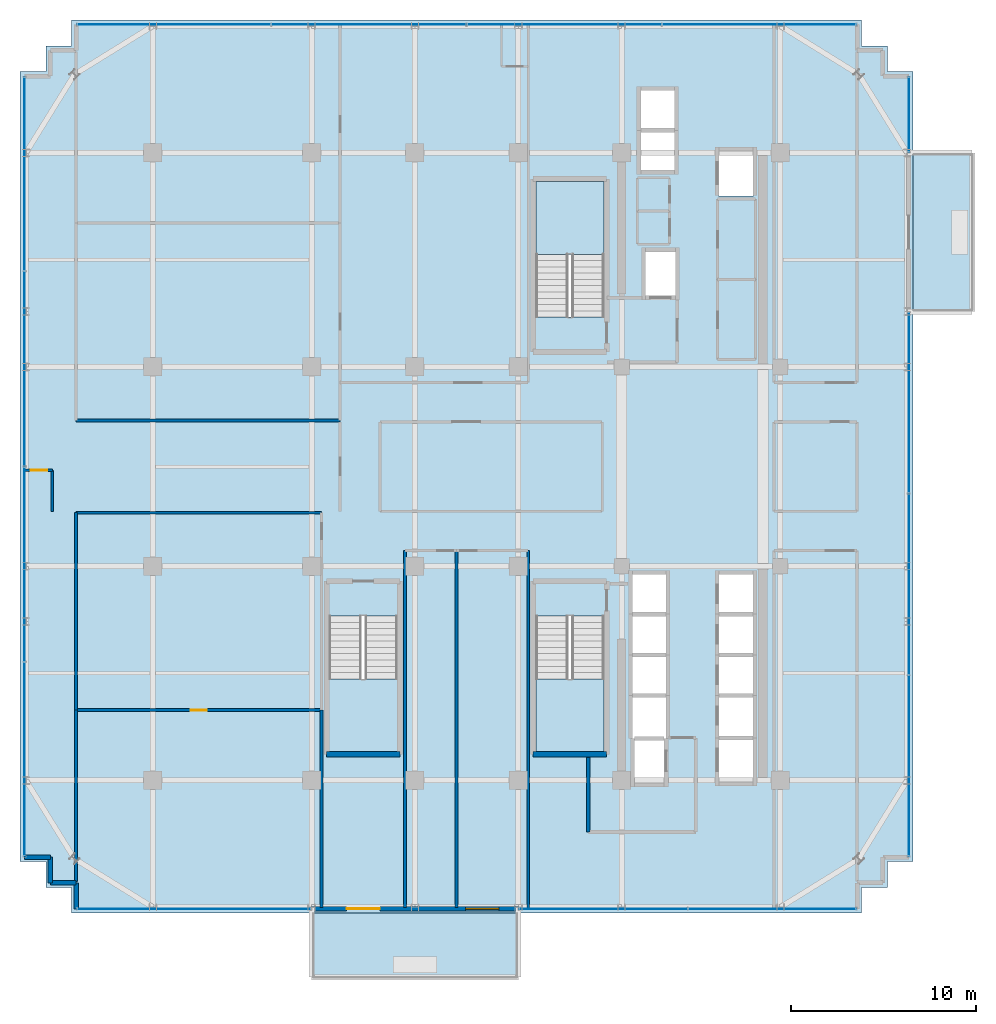
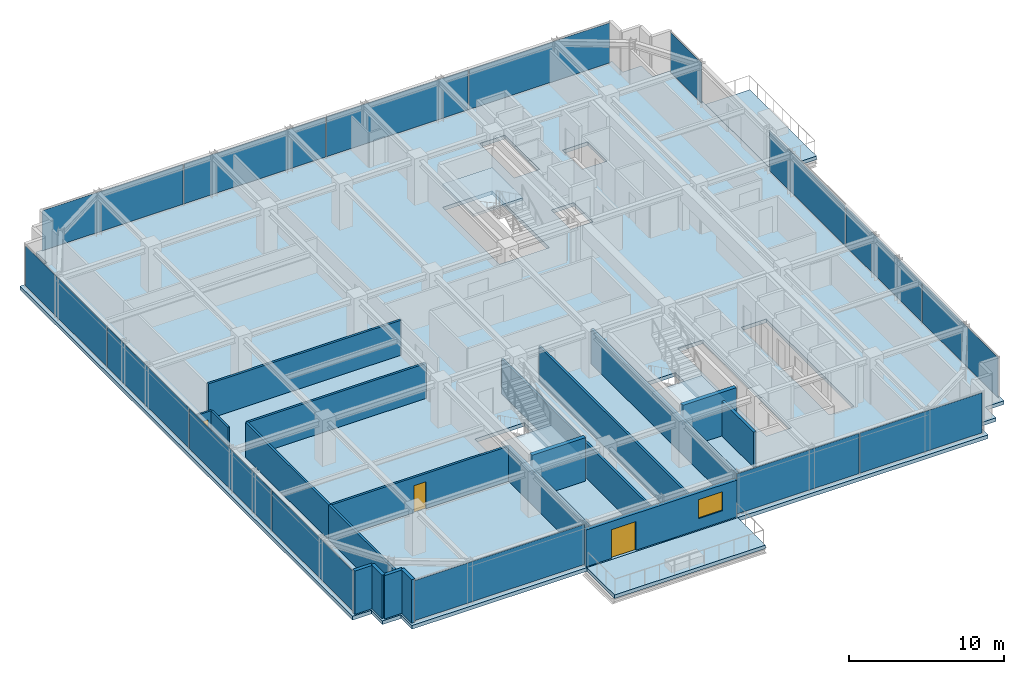
# One storey, part 29 of 36: 19 walls, 15 plates, 6 slabs, 3 doors, 1 window, 4 openings, 9 elements without a shape of their own.
"""IFC4 building model written with IfcOpenShell, lengths in metres."""

from ifc_helpers import new_model, si_unit, direction, frame, frame_2d, origin, origin_2d, place, context, subcontext, project, spatial, polyline, rectangle, outline, extrude, source, transform, mapped, material, layer, layer_set, type_object, element, fill, aggregate, save


model = new_model("IFC4")

# Units and contexts
model_context = context("Model", 3, precision=1e-05, world=origin(), true_north=direction((0.0, 1.0)))
body_context = subcontext(model_context, "Body", "Model", "MODEL_VIEW")
ifc_project = project(units=[si_unit("LENGTHUNIT", "METRE"), si_unit("AREAUNIT", "SQUARE_METRE"), si_unit("VOLUMEUNIT", "CUBIC_METRE"), si_unit("PLANEANGLEUNIT", "RADIAN"), si_unit("MASSUNIT", "GRAM", prefix="KILO")], contexts=[model_context])

# Site, building, storey
site_placement = place(None, origin())
site = spatial("IfcSite", under=ifc_project, at=site_placement, CompositionType="ELEMENT")
building_placement = place(site_placement, origin())
building = spatial("IfcBuilding", under=site, at=building_placement, Name="Nahalor Promenade Grand Hotel", CompositionType="ELEMENT")
storey_placement = place(building_placement, frame((0.0, 0.0, 253.0)))
storey = spatial("IfcBuildingStorey", under=building, at=storey_placement, Name="L65", CompositionType="ELEMENT", Elevation=253.0)

# Stair, slab
ifc_material_1 = material(Name="Concrete B-50 (C40/50)", Category="concrete")
stair_type_1 = type_object("IfcStairType", Name="Stair-ST1", PredefinedType="HALF_TURN_STAIR", material=ifc_material_1)
stair_1_placement = place(storey_placement, origin())
stair_1 = element("IfcStair", 1, at=stair_1_placement, inside=storey, type_object=stair_type_1, Name="L65 ST1", PredefinedType="HALF_TURN_STAIR")
ifc_layer_1 = layer(ifc_material_1, 0.199951171875)
ifc_layer_set_1 = layer_set([ifc_layer_1], Name="Concrete B-50 (C40/50)")
slab_type_1 = type_object("IfcSlabType", Name="Landing-ST1", PredefinedType="LANDING", material=ifc_layer_set_1)
slab_1_placement = place(storey_placement, frame((0.0, 0.0, 1.64990234375)))
slab_1 = element("IfcSlab", 2, at=slab_1_placement, type_object=slab_type_1, Name="ST1 landing 1", PredefinedType="LANDING", context=body_context, shape_type="SweptSolid", body=[
    extrude(outline(polyline([(7.449951171875, 11.5), (7.449951171875, 15.449951171875), (3.75, 15.449951171875), (3.75, 11.5), (7.449951171875, 11.5)])), origin(), (0.0, 0.0, 1.0), 0.2001953125),
])
aggregate(stair_1, [slab_1])

stair_type_2 = type_object("IfcStairType", Name="Stair-ST2", PredefinedType="HALF_TURN_STAIR", material=ifc_material_1)
stair_2_placement = place(storey_placement, origin())
stair_2 = element("IfcStair", 3, at=stair_2_placement, inside=storey, type_object=stair_type_2, Name="L65 ST2", PredefinedType="HALF_TURN_STAIR")
ifc_layer_2 = layer(ifc_material_1, 0.2099609375)
ifc_layer_set_2 = layer_set([ifc_layer_2], Name="Concrete B-50 (C40/50)")
slab_type_2 = type_object("IfcSlabType", Name="Landing-ST2", PredefinedType="LANDING", material=ifc_layer_set_2)
slab_2_placement = place(storey_placement, frame((0.0, 0.0, 1.639892578125)))
slab_2 = element("IfcSlab", 4, at=slab_2_placement, type_object=slab_type_2, Name="ST2 landing 1", PredefinedType="LANDING", context=body_context, shape_type="SweptSolid", body=[
    extrude(outline(polyline([(3.75, -11.5), (3.75, -15.449951171875), (7.449951171875, -15.449951171875), (7.449951171875, -11.5), (3.75, -11.5)])), origin(), (0.0, 0.0, 1.0), 0.210205078125),
])
aggregate(stair_2, [slab_2])

stair_type_3 = type_object("IfcStairType", Name="Stair-ST3", PredefinedType="HALF_TURN_STAIR", material=ifc_material_1)
stair_3_placement = place(storey_placement, origin())
stair_3 = element("IfcStair", 5, at=stair_3_placement, inside=storey, type_object=stair_type_3, Name="L65 ST3", PredefinedType="HALF_TURN_STAIR")
ifc_layer_3 = layer(ifc_material_1, 0.219970703125)
ifc_layer_set_3 = layer_set([ifc_layer_3], Name="Concrete B-50 (C40/50)")
slab_type_3 = type_object("IfcSlabType", Name="Landing-ST3", PredefinedType="LANDING", material=ifc_layer_set_3)
slab_3_placement = place(storey_placement, frame((0.0, 0.0, 1.6298828125)))
slab_3 = element("IfcSlab", 6, at=slab_3_placement, type_object=slab_type_3, Name="ST3 landing 1", PredefinedType="LANDING", context=body_context, shape_type="SweptSolid", body=[
    extrude(outline(polyline([(-7.449951171875, -11.5), (-7.449951171875, -15.449951171875), (-3.75, -15.449951171875), (-3.75, -11.5), (-7.449951171875, -11.5)])), origin(), (0.0, 0.0, 1.0), 0.22021484375),
])
aggregate(stair_3, [slab_3])

# Slabs
ifc_layer_4 = layer(ifc_material_1, 0.280029296875)
ifc_layer_set_4 = layer_set([ifc_layer_4], Name="Concrete B-50 (C40/50)")
slab_type_4 = type_object("IfcSlabType", Name="Slab-Balcony-280", PredefinedType="FLOOR", material=ifc_layer_set_4)
slab_4_placement = place(storey_placement, frame((0.0, 0.0, -0.280029296875)))
element("IfcSlab", 7, at=slab_4_placement, inside=storey, type_object=slab_type_4, Name="L65 Cantilevered Planted Balcony 1", PredefinedType="FLOOR", context=body_context, shape_type="SweptSolid", body=[
    extrude(outline(polyline([(-8.39990234375, -27.75), (2.800048828125, -27.75), (2.800048828125, -24.199951171875), (-8.39990234375, -24.199951171875), (-8.39990234375, -27.75)])), origin(), (0.0, 0.0, 1.0), 0.280029296875),
])
slab_5_placement = place(storey_placement, frame((0.0, 0.0, -0.280029296875)))
element("IfcSlab", 8, at=slab_5_placement, inside=storey, type_object=slab_type_4, Name="L65 Cantilevered Planted Balcony 2", PredefinedType="FLOOR", context=body_context, shape_type="SweptSolid", body=[
    extrude(outline(polyline([(24.199951171875, 8.39990234375), (27.47998046875, 8.39990234375), (27.47998046875, 17.0), (24.199951171875, 17.0), (24.199951171875, 8.39990234375)])), origin(), (0.0, 0.0, 1.0), 0.280029296875),
])
ifc_layer_5 = layer(ifc_material_1, 0.2900390625)
ifc_layer_set_5 = layer_set([ifc_layer_5], Name="Concrete B-50 (C40/50)")
slab_type_5 = type_object("IfcSlabType", Name="Slab-TowerZ4-290", PredefinedType="FLOOR", material=ifc_layer_set_5)
slab_6_placement = place(storey_placement, frame((0.0, 0.0, -0.2900390625)))
element("IfcSlab", 9, at=slab_6_placement, inside=storey, type_object=slab_type_5, Name="L65 Suspended Structural Floor Slab", PredefinedType="FLOOR", context=body_context, shape_type="SweptSolid", body=[
    extrude(outline(polyline([(-21.39990234375, -24.199951171875), (21.39990234375, -24.199951171875), (21.39990234375, -22.800048828125), (22.800048828125, -22.800048828125), (22.800048828125, -21.39990234375), (24.199951171875, -21.39990234375), (24.199951171875, 21.39990234375), (22.800048828125, 21.39990234375), (22.800048828125, 22.800048828125), (21.39990234375, 22.800048828125), (21.39990234375, 24.199951171875), (-21.39990234375, 24.199951171875), (-21.39990234375, 22.800048828125), (-22.800048828125, 22.800048828125), (-22.800048828125, 21.39990234375), (-24.199951171875, 21.39990234375), (-24.199951171875, -21.39990234375), (-22.800048828125, -21.39990234375), (-22.800048828125, -22.800048828125), (-21.39990234375, -22.800048828125), (-21.39990234375, -24.199951171875)]), holes=[polyline([(3.75, 8.10009765625), (7.449951171875, 8.10009765625), (7.449951171875, 15.449951171875), (3.75, 15.449951171875), (3.75, 8.10009765625)]), polyline([(3.75, -15.449951171875), (7.449951171875, -15.449951171875), (7.449951171875, -8.10009765625), (3.75, -8.10009765625), (3.75, -15.449951171875)]), polyline([(-7.449951171875, -15.449951171875), (-3.75, -15.449951171875), (-3.75, -8.10009765625), (-7.449951171875, -8.10009765625), (-7.449951171875, -15.449951171875)]), polyline([(13.659912109375, -17.139892578125), (15.5400390625, -17.139892578125), (15.5400390625, -5.81005859375), (13.659912109375, -5.81005859375), (13.659912109375, -17.139892578125)]), polyline([(8.9599609375, -17.18994140625), (10.840087890625, -17.18994140625), (10.840087890625, -5.81005859375), (8.9599609375, -5.81005859375), (8.9599609375, -17.18994140625)]), polyline([(9.409912109375, 16.010009765625), (11.2900390625, 16.010009765625), (11.2900390625, 20.43994140625), (9.409912109375, 20.43994140625), (9.409912109375, 16.010009765625)]), polyline([(9.659912109375, 9.2099609375), (11.340087890625, 9.2099609375), (11.340087890625, 11.68994140625), (9.659912109375, 11.68994140625), (9.659912109375, 9.2099609375)]), polyline([(13.659912109375, 14.659912109375), (15.5400390625, 14.659912109375), (15.5400390625, 17.139892578125), (13.659912109375, 17.139892578125), (13.659912109375, 14.659912109375)])]), origin(), (0.0, 0.0, 1.0), 0.2900390625),
])

# Curtain wall, plates
ifc_material_2 = material(Name="Anodised Bronze Aluminium EN AW-6063 T6", Category="aluminium")
curtain_wall_type = type_object("IfcCurtainWallType", Name="CW2 Typical Hotel Flush Bronze Unitised Curtain Wall", PredefinedType="USERDEFINED", material=ifc_material_2)
curtain_wall_1_placement = place(storey_placement, origin())
curtain_wall_1 = element("IfcCurtainWall", 10, at=curtain_wall_1_placement, inside=storey, type_object=curtain_wall_type, Name="L65 Curtain Wall CW-L65-N-1", ObjectType="UNITISED_CURTAIN_WALL", PredefinedType="USERDEFINED")
ifc_material_3 = material(Name="Low-E Laminated Solar Glass", Category="glass")
ifc_layer_6 = layer(ifc_material_3, 0.028076171875)
ifc_layer_set_6 = layer_set([ifc_layer_6], Name="Low-E Laminated Solar Glass")
plate_type = type_object("IfcPlateType", Name="CWP2 Bronze Low-E Vision IGU 28mm", PredefinedType="CURTAIN_PANEL", material=ifc_layer_set_6)
shared_shape_1 = source(origin(), body_context, "Body", "SweptSolid", [
    extrude(rectangle(XDim=10.482421875, YDim=0.028076171875, at=origin_2d()), origin(), (0.0, 0.0, 1.0), 3.14990234375),
])
plate_1_placement = place(storey_placement, frame((-15.853759765625, 23.9599609375, 0.130126953125), z_axis=(0.0, 0.0, 1.0), x_axis=(1.0, 0.0, 0.0)))
plate_1 = element("IfcPlate", 11, at=plate_1_placement, type_object=plate_type, Name="CW-L65-N-1 Glazing Panel 0-0", PredefinedType="CURTAIN_PANEL", context=body_context, shape_type="MappedRepresentation", body=[
    mapped(shared_shape_1, transform((0.0, 0.0, 0.0), scale=1.0)),
])
plate_2_placement = place(storey_placement, frame((15.853759765625, 23.9599609375, 0.130126953125), z_axis=(0.0, 0.0, 1.0), x_axis=(1.0, 0.0, 0.0)))
plate_2 = element("IfcPlate", 12, at=plate_2_placement, type_object=plate_type, Name="CW-L65-N-1 Glazing Panel 3-0", PredefinedType="CURTAIN_PANEL", context=body_context, shape_type="MappedRepresentation", body=[
    mapped(shared_shape_1, transform((0.0, 0.0, 0.0), scale=1.0)),
])

curtain_wall_2_placement = place(storey_placement, origin())
curtain_wall_2 = element("IfcCurtainWall", 13, at=curtain_wall_2_placement, inside=storey, type_object=curtain_wall_type, Name="L65 Curtain Wall CW-L65-W-1", ObjectType="UNITISED_CURTAIN_WALL", PredefinedType="USERDEFINED")
plate_3_placement = place(storey_placement, frame((-23.9599609375, -15.853759765625, 0.130126953125), z_axis=(0.0, 0.0, 1.0), x_axis=(0.0, 1.0, 0.0)))
plate_3 = element("IfcPlate", 14, at=plate_3_placement, type_object=plate_type, Name="CW-L65-W-1 Glazing Panel 0-0", PredefinedType="CURTAIN_PANEL", context=body_context, shape_type="MappedRepresentation", body=[
    mapped(shared_shape_1, transform((0.0, 0.0, 0.0), scale=1.0)),
])
plate_4_placement = place(storey_placement, frame((-23.9599609375, 15.853759765625, 0.130126953125), z_axis=(0.0, 0.0, 1.0), x_axis=(0.0, 1.0, 0.0)))
plate_4 = element("IfcPlate", 15, at=plate_4_placement, type_object=plate_type, Name="CW-L65-W-1 Glazing Panel 3-0", PredefinedType="CURTAIN_PANEL", context=body_context, shape_type="MappedRepresentation", body=[
    mapped(shared_shape_1, transform((0.0, 0.0, 0.0), scale=1.0)),
])

# Plate
shared_shape_2 = source(origin(), body_context, "Body", "SweptSolid", [
    extrude(rectangle(XDim=10.514892578125, YDim=0.028076171875, at=origin_2d()), origin(), (0.0, 0.0, 1.0), 3.14990234375),
])
plate_5_placement = place(storey_placement, frame((-5.2900390625, 23.9599609375, 0.130126953125), z_axis=(0.0, 0.0, 1.0), x_axis=(1.0, 0.0, 0.0)))
plate_5 = element("IfcPlate", 16, at=plate_5_placement, type_object=plate_type, Name="CW-L65-N-1 Glazing Panel 1-0", PredefinedType="CURTAIN_PANEL", context=body_context, shape_type="MappedRepresentation", body=[
    mapped(shared_shape_2, transform((0.0, 0.0, 0.0), scale=1.0)),
])

plate_6_placement = place(storey_placement, frame((5.2900390625, 23.9599609375, 0.130126953125), z_axis=(0.0, 0.0, 1.0), x_axis=(1.0, 0.0, 0.0)))
plate_6 = element("IfcPlate", 17, at=plate_6_placement, type_object=plate_type, Name="CW-L65-N-1 Glazing Panel 2-0", PredefinedType="CURTAIN_PANEL", context=body_context, shape_type="MappedRepresentation", body=[
    mapped(shared_shape_2, transform((0.0, 0.0, 0.0), scale=1.0)),
])

aggregate(curtain_wall_1, [plate_1, plate_5, plate_6, plate_2])

plate_7_placement = place(storey_placement, frame((-23.9599609375, -5.2900390625, 0.130126953125), z_axis=(0.0, 0.0, 1.0), x_axis=(0.0, 1.0, 0.0)))
plate_7 = element("IfcPlate", 18, at=plate_7_placement, type_object=plate_type, Name="CW-L65-W-1 Glazing Panel 1-0", PredefinedType="CURTAIN_PANEL", context=body_context, shape_type="MappedRepresentation", body=[
    mapped(shared_shape_2, transform((0.0, 0.0, 0.0), scale=1.0)),
])

plate_8_placement = place(storey_placement, frame((-23.9599609375, 5.2900390625, 0.130126953125), z_axis=(0.0, 0.0, 1.0), x_axis=(0.0, 1.0, 0.0)))
plate_8 = element("IfcPlate", 19, at=plate_8_placement, type_object=plate_type, Name="CW-L65-W-1 Glazing Panel 2-0", PredefinedType="CURTAIN_PANEL", context=body_context, shape_type="MappedRepresentation", body=[
    mapped(shared_shape_2, transform((0.0, 0.0, 0.0), scale=1.0)),
])

aggregate(curtain_wall_2, [plate_3, plate_7, plate_8, plate_4])

# Curtain wall, plate
curtain_wall_3_placement = place(storey_placement, origin())
curtain_wall_3 = element("IfcCurtainWall", 20, at=curtain_wall_3_placement, inside=storey, type_object=curtain_wall_type, Name="L65 Curtain Wall CW-L65-E-3", ObjectType="UNITISED_CURTAIN_WALL", PredefinedType="USERDEFINED")
shared_shape_3 = source(origin(), body_context, "Body", "SweptSolid", [
    extrude(rectangle(XDim=4.030029296875, YDim=0.028076171875, at=origin_2d()), origin(), (0.0, 0.0, 1.0), 3.14990234375),
])
plate_9_placement = place(storey_placement, frame((23.9599609375, 19.080078125, 0.130126953125), z_axis=(0.0, 0.0, 1.0), x_axis=(0.0, 1.0, 0.0)))
plate_9 = element("IfcPlate", 21, at=plate_9_placement, type_object=plate_type, Name="CW-L65-E-3 Glazing Panel 0-0", PredefinedType="CURTAIN_PANEL", context=body_context, shape_type="MappedRepresentation", body=[
    mapped(shared_shape_3, transform((0.0, 0.0, 0.0), scale=1.0)),
])
aggregate(curtain_wall_3, [plate_9])

# Curtain wall, plates
curtain_wall_4_placement = place(storey_placement, origin())
curtain_wall_4 = element("IfcCurtainWall", 22, at=curtain_wall_4_placement, inside=storey, type_object=curtain_wall_type, Name="L65 Curtain Wall CW-L65-E-1", ObjectType="UNITISED_CURTAIN_WALL", PredefinedType="USERDEFINED")
shared_shape_4 = source(origin(), body_context, "Body", "SweptSolid", [
    extrude(rectangle(XDim=9.755859375, YDim=0.028076171875, at=origin_2d()), origin(), (0.0, 0.0, 1.0), 3.14990234375),
])
plate_10_placement = place(storey_placement, frame((23.9599609375, -16.217041015625, 0.130126953125), z_axis=(0.0, 0.0, 1.0), x_axis=(0.0, 1.0, 0.0)))
plate_10 = element("IfcPlate", 23, at=plate_10_placement, type_object=plate_type, Name="CW-L65-E-1 Glazing Panel 0-0", PredefinedType="CURTAIN_PANEL", context=body_context, shape_type="MappedRepresentation", body=[
    mapped(shared_shape_4, transform((0.0, 0.0, 0.0), scale=1.0)),
])
plate_11_placement = place(storey_placement, frame((23.9599609375, 3.45703125, 0.130126953125), z_axis=(0.0, 0.0, 1.0), x_axis=(0.0, 1.0, 0.0)))
plate_11 = element("IfcPlate", 24, at=plate_11_placement, type_object=plate_type, Name="CW-L65-E-1 Glazing Panel 2-0", PredefinedType="CURTAIN_PANEL", context=body_context, shape_type="MappedRepresentation", body=[
    mapped(shared_shape_4, transform((0.0, 0.0, 0.0), scale=1.0)),
])
shared_shape_5 = source(origin(), body_context, "Body", "SweptSolid", [
    extrude(rectangle(XDim=9.788330078125, YDim=0.028076171875, at=origin_2d()), origin(), (0.0, 0.0, 1.0), 3.14990234375),
])
plate_12_placement = place(storey_placement, frame((23.9599609375, -6.3798828125, 0.130126953125), z_axis=(0.0, 0.0, 1.0), x_axis=(0.0, 1.0, 0.0)))
plate_12 = element("IfcPlate", 25, at=plate_12_placement, type_object=plate_type, Name="CW-L65-E-1 Glazing Panel 1-0", PredefinedType="CURTAIN_PANEL", context=body_context, shape_type="MappedRepresentation", body=[
    mapped(shared_shape_5, transform((0.0, 0.0, 0.0), scale=1.0)),
])
aggregate(curtain_wall_4, [plate_10, plate_12, plate_11])

# Curtain wall, plate
curtain_wall_5_placement = place(storey_placement, origin())
curtain_wall_5 = element("IfcCurtainWall", 26, at=curtain_wall_5_placement, inside=storey, type_object=curtain_wall_type, Name="L65 Curtain Wall CW-L65-S-1", ObjectType="UNITISED_CURTAIN_WALL", PredefinedType="USERDEFINED")
shared_shape_6 = source(origin(), body_context, "Body", "SweptSolid", [
    extrude(rectangle(XDim=12.6298828125, YDim=0.028076171875, at=origin_2d()), origin(), (0.0, 0.0, 1.0), 3.14990234375),
])
plate_13_placement = place(storey_placement, frame((-14.780029296875, -23.9599609375, 0.130126953125), z_axis=(0.0, 0.0, 1.0), x_axis=(1.0, 0.0, 0.0)))
plate_13 = element("IfcPlate", 27, at=plate_13_placement, type_object=plate_type, Name="CW-L65-S-1 Glazing Panel 0-0", PredefinedType="CURTAIN_PANEL", context=body_context, shape_type="MappedRepresentation", body=[
    mapped(shared_shape_6, transform((0.0, 0.0, 0.0), scale=1.0)),
])
aggregate(curtain_wall_5, [plate_13])

# Curtain wall, plates
curtain_wall_6_placement = place(storey_placement, origin())
curtain_wall_6 = element("IfcCurtainWall", 28, at=curtain_wall_6_placement, inside=storey, type_object=curtain_wall_type, Name="L65 Curtain Wall CW-L65-S-3", ObjectType="UNITISED_CURTAIN_WALL", PredefinedType="USERDEFINED")
shared_shape_7 = source(origin(), body_context, "Body", "SweptSolid", [
    extrude(rectangle(XDim=9.08251953125, YDim=0.028076171875, at=origin_2d()), origin(), (0.0, 0.0, 1.0), 3.14990234375),
])
plate_14_placement = place(storey_placement, frame((7.40625, -23.9599609375, 0.130126953125), z_axis=(0.0, 0.0, 1.0), x_axis=(1.0, 0.0, 0.0)))
plate_14 = element("IfcPlate", 29, at=plate_14_placement, type_object=plate_type, Name="CW-L65-S-3 Glazing Panel 0-0", PredefinedType="CURTAIN_PANEL", context=body_context, shape_type="MappedRepresentation", body=[
    mapped(shared_shape_7, transform((0.0, 0.0, 0.0), scale=1.0)),
])
plate_15_placement = place(storey_placement, frame((16.5537109375, -23.9599609375, 0.130126953125), z_axis=(0.0, 0.0, 1.0), x_axis=(1.0, 0.0, 0.0)))
plate_15 = element("IfcPlate", 30, at=plate_15_placement, type_object=plate_type, Name="CW-L65-S-3 Glazing Panel 1-0", PredefinedType="CURTAIN_PANEL", context=body_context, shape_type="MappedRepresentation", body=[
    mapped(shared_shape_7, transform((0.0, 0.0, 0.0), scale=1.0)),
])
aggregate(curtain_wall_6, [plate_14, plate_15])

# Walls
ifc_layer_7 = layer(ifc_material_1, 0.300048828125)
ifc_layer_set_7 = layer_set([ifc_layer_7], Name="Concrete B-50 (C40/50)")
wall_type_1 = type_object("IfcWallType", Name="Wall-ShaftShear-300", PredefinedType="SHEAR", material=ifc_layer_set_7)
shared_shape_8 = source(origin(), body_context, "Body", "SweptSolid", [
    extrude(rectangle(XDim=3.97998046875, YDim=0.300048828125, at=frame_2d((1.989990234375, 0.0))), origin(), (0.0, 0.0, 1.0), 3.409912109375),
])
for number, where, z_axis, x_axis, name in (
    (31, (3.610107421875, -15.590087890625, 0.0), (0.0, 0.0, 1.0), (1.0, 0.0, 0.0), "L65 Exit Stair ST2 Shaft Wall S"),
    (32, (-7.590087890625, -15.590087890625, 0.0), (0.0, 0.0, 1.0), (1.0, 0.0, 0.0), "L65 Exit Stair ST3 Shaft Wall S"),
):
    element("IfcWall", number, at=place(storey_placement, frame(where, z_axis=z_axis, x_axis=x_axis)), inside=storey, type_object=wall_type_1, Name=name, PredefinedType="SHEAR", context=body_context, shape_type="MappedRepresentation", body=[
        mapped(shared_shape_8, transform((0.0, 0.0, 0.0), scale=1.0)),
    ])
ifc_material_4 = material(Name="Concrete B-40 (C32/40)", Category="concrete")
ifc_layer_8 = layer(ifc_material_4, 0.25)
ifc_layer_set_8 = layer_set([ifc_layer_8], Name="Concrete B-40 (C32/40)")
wall_type_2 = type_object("IfcWallType", Name="Wall-BronzePier-250", PredefinedType="STANDARD", material=ifc_layer_set_8)
shared_shape_9 = source(origin(), body_context, "Body", "SweptSolid", [
    extrude(rectangle(XDim=1.39990234375, YDim=0.25, at=frame_2d((0.699951171875, 0.0))), origin(), (0.0, 0.0, 1.0), 3.409912109375),
])
for number, where, z_axis, x_axis, name in (
    (33, (-23.9599609375, -21.159912109375, 0.0), (0.0, 0.0, 1.0), (1.0, 0.0, 0.0), "W-L65-SR-13"),
    (34, (-21.159912109375, -23.9599609375, 0.0), (0.0, 0.0, 1.0), (0.0, 1.0, 0.0), "W-L65-SR-16"),
):
    element("IfcWall", number, at=place(storey_placement, frame(where, z_axis=z_axis, x_axis=x_axis)), inside=storey, type_object=wall_type_2, Name=name, PredefinedType="STANDARD", context=body_context, shape_type="MappedRepresentation", body=[
        mapped(shared_shape_9, transform((0.0, 0.0, 0.0), scale=1.0)),
    ])
shared_shape_10 = source(origin(), body_context, "Body", "SweptSolid", [
    extrude(rectangle(XDim=1.400146484375, YDim=0.25, at=frame_2d((0.7001953125, 0.0))), origin(), (0.0, 0.0, 1.0), 3.409912109375),
])
for number, where, z_axis, x_axis, name in (
    (35, (-22.56005859375, -22.56005859375, 0.0), (0.0, 0.0, 1.0), (0.0, 1.0, 0.0), "W-L65-SR-14"),
    (36, (-22.56005859375, -22.56005859375, 0.0), (0.0, 0.0, 1.0), (1.0, 0.0, 0.0), "W-L65-SR-15"),
):
    element("IfcWall", number, at=place(storey_placement, frame(where, z_axis=z_axis, x_axis=x_axis)), inside=storey, type_object=wall_type_2, Name=name, PredefinedType="STANDARD", context=body_context, shape_type="MappedRepresentation", body=[
        mapped(shared_shape_10, transform((0.0, 0.0, 0.0), scale=1.0)),
    ])

# Wall, openings, door, window
ifc_layer_9 = layer(ifc_material_4, 0.260009765625)
ifc_layer_set_9 = layer_set([ifc_layer_9], Name="Concrete B-40 (C32/40)")
wall_type_3 = type_object("IfcWallType", Name="Wall-BalconyWall-260", PredefinedType="STANDARD", material=ifc_layer_set_9)
shared_shape_11 = source(origin(), body_context, "Body", "SweptSolid", [
    extrude(rectangle(XDim=11.199951171875, YDim=0.260009765625, at=frame_2d((5.60009765625, 0.0))), origin(), (0.0, 0.0, 1.0), 2.889892578125),
])
wall_1_placement = place(storey_placement, frame((-8.39990234375, -23.9599609375, 0.0), z_axis=(0.0, 0.0, 1.0), x_axis=(1.0, 0.0, 0.0)))
wall_1 = element("IfcWall", 37, at=wall_1_placement, inside=storey, type_object=wall_type_3, Name="W-L65-BALC-S-2", PredefinedType="STANDARD", context=body_context, shape_type="MappedRepresentation", body=[
    mapped(shared_shape_11, transform((0.0, 0.0, 0.0), scale=1.0)),
])
opening_1_placement = place(wall_1_placement, frame((1.89990234375, 0.0, 0.0)))
opening_1 = element("IfcOpeningElement", 38, at=opening_1_placement, cuts=wall_1, Name="Opening D-BC1", PredefinedType="OPENING", context=body_context, shape_type="SweptSolid", body=[
    extrude(rectangle(XDim=1.800048828125, YDim=2.25, at=frame_2d((0.89990234375, 1.125))), frame((0.0, 0.139892578125, 0.0), z_axis=(0.0, -1.0, 0.0), x_axis=(1.0, 0.0, 0.0)), (0.0, 0.0, 1.0), 0.280029296875),
])
opening_2_placement = place(wall_1_placement, frame((8.35009765625, 0.0, 0.85009765625)))
opening_2 = element("IfcOpeningElement", 39, at=opening_2_placement, cuts=wall_1, Name="Opening WN-01", PredefinedType="OPENING", context=body_context, shape_type="SweptSolid", body=[
    extrude(rectangle(XDim=1.800048828125, YDim=1.5, at=frame_2d((0.89990234375, 0.75))), frame((0.0, 0.139892578125, 0.0), z_axis=(0.0, -1.0, 0.0), x_axis=(1.0, 0.0, 0.0)), (0.0, 0.0, 1.0), 0.280029296875),
])
door_type_1 = type_object("IfcDoorType", Name="Door-BalconySlide-1800", OperationType="DOUBLE_DOOR_SLIDING", PredefinedType="DOOR", material=ifc_material_2)
shared_shape_12 = source(origin(), body_context, "Body", "SweptSolid", [
    extrude(rectangle(XDim=1.800048828125, YDim=2.25, at=frame_2d((0.89990234375, 1.125))), frame((0.0, 0.02490234375, 0.0), z_axis=(0.0, -1.0, 0.0), x_axis=(1.0, 0.0, 0.0)), (0.0, 0.0, 1.0), 0.050048828125),
])
door_1_placement = place(opening_1_placement, frame((1.800048828125, 0.0, 0.0), z_axis=(0.0, 0.0, 1.0), x_axis=(-1.0, 0.0, 0.0)))
door_1 = element("IfcDoor", 40, at=door_1_placement, inside=storey, type_object=door_type_1, Name="DR-L65-BALC-S-2", OperationType="DOUBLE_DOOR_SLIDING", OverallHeight=2.25, OverallWidth=1.800048828125, PredefinedType="DOOR", context=body_context, shape_type="MappedRepresentation", body=[
    mapped(shared_shape_12, transform((0.0, 0.0, 0.0), scale=1.0)),
])
fill(opening_1, door_1)
window_type = type_object("IfcWindowType", Name="Win-ChicagoBay-1800x1500", PartitioningType="SINGLE_PANEL", PredefinedType="WINDOW", material=ifc_material_3)
shared_shape_13 = source(origin(), body_context, "Body", "SweptSolid", [
    extrude(rectangle(XDim=1.800048828125, YDim=1.5, at=frame_2d((0.89990234375, 0.75))), frame((0.0, 0.030029296875, 0.0), z_axis=(0.0, -1.0, 0.0), x_axis=(1.0, 0.0, 0.0)), (0.0, 0.0, 1.0), 0.06005859375),
])
window_placement = place(opening_2_placement, origin())
window = element("IfcWindow", 41, at=window_placement, inside=storey, type_object=window_type, Name="WN-L65-BALC-S-2-1", OverallHeight=1.5, OverallWidth=1.800048828125, PartitioningType="SINGLE_PANEL", PredefinedType="WINDOW", context=body_context, shape_type="MappedRepresentation", body=[
    mapped(shared_shape_13, transform((0.0, 0.0, 0.0), scale=1.0)),
])
fill(opening_2, window)

# Walls
ifc_layer_10 = layer(ifc_material_4, 0.199951171875)
ifc_layer_set_10 = layer_set([ifc_layer_10], Name="Concrete B-40 (C32/40)")
wall_type_4 = type_object("IfcWallType", Name="Wall-PartFire-200", PredefinedType="PARTITIONING", material=ifc_layer_set_10)
shared_shape_14 = source(origin(), body_context, "Body", "SweptSolid", [
    extrude(rectangle(XDim=4.030029296875, YDim=0.199951171875, at=frame_2d((2.01513671875, 0.0))), origin(), (0.0, 0.0, 1.0), 2.75),
])
wall_2_placement = place(storey_placement, frame((6.60009765625, -19.800048828125, 0.0), z_axis=(0.0, 0.0, 1.0), x_axis=(0.0, 1.0, 0.0)))
element("IfcWall", 42, at=wall_2_placement, inside=storey, type_object=wall_type_4, Name="W-L65-FF2-W1", PredefinedType="PARTITIONING", context=body_context, shape_type="MappedRepresentation", body=[
    mapped(shared_shape_14, transform((0.0, 0.0, 0.0), scale=1.0)),
])
ifc_material_5 = material(Name="Acoustic Mineral Gypsum", Category="gypsum")
ifc_layer_11 = layer(ifc_material_5, 0.159912109375)
ifc_layer_set_11 = layer_set([ifc_layer_11], Name="Acoustic Mineral Gypsum")
wall_type_5 = type_object("IfcWallType", Name="Wall-PartCorridor-160", PredefinedType="PARTITIONING", material=ifc_layer_set_11)
shared_shape_15 = source(origin(), body_context, "Body", "SweptSolid", [
    extrude(rectangle(XDim=19.349853515625, YDim=0.159912109375, at=frame_2d((9.6748046875, 0.0))), origin(), (0.0, 0.0, 1.0), 2.75),
])
for number, where, z_axis, x_axis, name in (
    (43, (-3.340087890625, -23.89990234375, 0.0), (0.0, 0.0, 1.0), (0.0, 1.0, 0.0), "W-L65-SCB1-W"),
    (44, (-0.550048828125, -23.89990234375, 0.0), (0.0, 0.0, 1.0), (0.0, 1.0, 0.0), "W-L65-SCB1-E"),
    (45, (3.340087890625, -23.89990234375, 0.0), (0.0, 0.0, 1.0), (0.0, 1.0, 0.0), "W-L65-SCB2-E"),
):
    element("IfcWall", number, at=place(storey_placement, frame(where, z_axis=z_axis, x_axis=x_axis)), inside=storey, type_object=wall_type_5, Name=name, PredefinedType="PARTITIONING", context=body_context, shape_type="MappedRepresentation", body=[
        mapped(shared_shape_15, transform((0.0, 0.0, 0.0), scale=1.0)),
    ])

# Wall, opening, door
ifc_layer_12 = layer(ifc_material_5, 0.1201171875)
ifc_layer_set_12 = layer_set([ifc_layer_12], Name="Acoustic Mineral Gypsum")
wall_type_6 = type_object("IfcWallType", Name="Wall-PartBath-120", PredefinedType="PARTITIONING", material=ifc_layer_set_12)
shared_shape_16 = source(origin(), body_context, "Body", "SweptSolid", [
    extrude(rectangle(XDim=1.449951171875, YDim=0.1201171875, at=frame_2d((0.72509765625, 0.0))), origin(), (0.0, 0.0, 1.0), 2.75),
])
wall_3_placement = place(storey_placement, frame((-23.89990234375, -0.199951171875, 0.0), z_axis=(0.0, 0.0, 1.0), x_axis=(1.0, 0.0, 0.0)))
wall_3 = element("IfcWall", 46, at=wall_3_placement, inside=storey, type_object=wall_type_6, Name="W-L65-W1-BH", PredefinedType="PARTITIONING", context=body_context, shape_type="MappedRepresentation", body=[
    mapped(shared_shape_16, transform((0.0, 0.0, 0.0), scale=1.0)),
])
opening_3_placement = place(wall_3_placement, frame((0.284912109375, 0.0, 0.0)))
opening_3 = element("IfcOpeningElement", 47, at=opening_3_placement, cuts=wall_3, Name="Opening D-03", PredefinedType="OPENING", context=body_context, shape_type="SweptSolid", body=[
    extrude(rectangle(XDim=0.8798828125, YDim=2.10009765625, at=frame_2d((0.43994140625, 1.050048828125))), frame((0.0, 0.070068359375, 0.0), z_axis=(0.0, -1.0, 0.0), x_axis=(1.0, 0.0, 0.0)), (0.0, 0.0, 1.0), 0.14013671875),
])
ifc_material_6 = material(Name="Fire-Rated Timber Composite", Category="wood")
door_type_2 = type_object("IfcDoorType", Name="Door-BathSwing-880", OperationType="NOTDEFINED", PredefinedType="DOOR", material=ifc_material_6)
shared_shape_17 = source(origin(), body_context, "Body", "SweptSolid", [
    extrude(rectangle(XDim=0.8798828125, YDim=2.10009765625, at=frame_2d((0.43994140625, 1.050048828125))), frame((0.0, 0.02490234375, 0.0), z_axis=(0.0, -1.0, 0.0), x_axis=(1.0, 0.0, 0.0)), (0.0, 0.0, 1.0), 0.050048828125),
])
door_2_placement = place(opening_3_placement, frame((0.8798828125, 0.0, 0.0), z_axis=(0.0, 0.0, 1.0), x_axis=(-1.0, 0.0, 0.0)))
door_2 = element("IfcDoor", 48, at=door_2_placement, inside=storey, type_object=door_type_2, Name="DR-L65-W1-BATH", OperationType="SINGLE_SWING_RIGHT", OverallHeight=2.10009765625, OverallWidth=0.8798828125, PredefinedType="DOOR", context=body_context, shape_type="MappedRepresentation", body=[
    mapped(shared_shape_17, transform((0.0, 0.0, 0.0), scale=1.0)),
])
fill(opening_3, door_2)

# Walls
shared_shape_18 = source(origin(), body_context, "Body", "SweptSolid", [
    extrude(rectangle(XDim=2.219970703125, YDim=0.1201171875, at=frame_2d((1.10986328125, 0.0))), origin(), (0.0, 0.0, 1.0), 2.75),
])
wall_4_placement = place(storey_placement, frame((-22.449951171875, -2.419921875, 0.0), z_axis=(0.0, 0.0, 1.0), x_axis=(0.0, 1.0, 0.0)))
element("IfcWall", 49, at=wall_4_placement, inside=storey, type_object=wall_type_6, Name="W-L65-W1-BV", PredefinedType="PARTITIONING", context=body_context, shape_type="MappedRepresentation", body=[
    mapped(shared_shape_18, transform((0.0, 0.0, 0.0), scale=1.0)),
])
shared_shape_19 = source(origin(), body_context, "Body", "SweptSolid", [
    extrude(rectangle(XDim=14.309814453125, YDim=0.159912109375, at=frame_2d((7.15478515625, 0.0))), origin(), (0.0, 0.0, 1.0), 2.75),
])
wall_5_placement = place(storey_placement, frame((-21.159912109375, 2.5, 0.0), z_axis=(0.0, 0.0, 1.0), x_axis=(1.0, 0.0, 0.0)))
element("IfcWall", 50, at=wall_5_placement, inside=storey, type_object=wall_type_5, Name="W-L65-NW0A-S", PredefinedType="PARTITIONING", context=body_context, shape_type="MappedRepresentation", body=[
    mapped(shared_shape_19, transform((0.0, 0.0, 0.0), scale=1.0)),
])
shared_shape_20 = source(origin(), body_context, "Body", "SweptSolid", [
    extrude(rectangle(XDim=10.699951171875, YDim=0.159912109375, at=frame_2d((5.35009765625, 0.0))), origin(), (0.0, 0.0, 1.0), 2.75),
])
for number, where, z_axis, x_axis, name in (
    (51, (-7.860107421875, -23.89990234375, 0.0), (0.0, 0.0, 1.0), (0.0, 1.0, 0.0), "W-L65-SW0A-E"),
    (52, (-21.159912109375, -13.199951171875, 0.0), (0.0, 0.0, 1.0), (0.0, 1.0, 0.0), "W-L65-SW0B-W"),
):
    element("IfcWall", number, at=place(storey_placement, frame(where, z_axis=z_axis, x_axis=x_axis)), inside=storey, type_object=wall_type_5, Name=name, PredefinedType="PARTITIONING", context=body_context, shape_type="MappedRepresentation", body=[
        mapped(shared_shape_20, transform((0.0, 0.0, 0.0), scale=1.0)),
    ])
shared_shape_21 = source(origin(), body_context, "Body", "SweptSolid", [
    extrude(rectangle(XDim=9.280029296875, YDim=0.159912109375, at=frame_2d((4.64013671875, 0.0))), origin(), (0.0, 0.0, 1.0), 2.75),
])
wall_6_placement = place(storey_placement, frame((-21.159912109375, -22.47998046875, 0.0), z_axis=(0.0, 0.0, 1.0), x_axis=(0.0, 1.0, 0.0)))
element("IfcWall", 53, at=wall_6_placement, inside=storey, type_object=wall_type_5, Name="W-L65-SW0A-W", PredefinedType="PARTITIONING", context=body_context, shape_type="MappedRepresentation", body=[
    mapped(shared_shape_21, transform((0.0, 0.0, 0.0), scale=1.0)),
])

# Wall, opening, door
shared_shape_22 = source(origin(), body_context, "Body", "SweptSolid", [
    extrude(rectangle(XDim=13.2998046875, YDim=0.159912109375, at=frame_2d((6.64990234375, 0.0))), origin(), (0.0, 0.0, 1.0), 2.75),
])
wall_7_placement = place(storey_placement, frame((-21.159912109375, -13.199951171875, 0.0), z_axis=(0.0, 0.0, 1.0), x_axis=(1.0, 0.0, 0.0)))
wall_7 = element("IfcWall", 54, at=wall_7_placement, inside=storey, type_object=wall_type_5, Name="W-L65-SW0A-N", PredefinedType="PARTITIONING", context=body_context, shape_type="MappedRepresentation", body=[
    mapped(shared_shape_22, transform((0.0, 0.0, 0.0), scale=1.0)),
])
opening_4_placement = place(wall_7_placement, frame((6.2099609375, 0.0, 0.0)))
opening_4 = element("IfcOpeningElement", 55, at=opening_4_placement, cuts=wall_7, Name="Opening D-03", PredefinedType="OPENING", context=body_context, shape_type="SweptSolid", body=[
    extrude(rectangle(XDim=0.8798828125, YDim=2.10009765625, at=frame_2d((0.43994140625, 1.050048828125))), frame((0.0, 0.08984375, 0.0), z_axis=(0.0, -1.0, 0.0), x_axis=(1.0, 0.0, 0.0)), (0.0, 0.0, 1.0), 0.179931640625),
])
door_3_placement = place(opening_4_placement, frame((0.8798828125, 0.0, 0.0), z_axis=(0.0, 0.0, 1.0), x_axis=(-1.0, 0.0, 0.0)))
door_3 = element("IfcDoor", 56, at=door_3_placement, inside=storey, type_object=door_type_2, Name="DR-L65-SW0A", OperationType="SINGLE_SWING_RIGHT", OverallHeight=2.10009765625, OverallWidth=0.8798828125, PredefinedType="DOOR", context=body_context, shape_type="MappedRepresentation", body=[
    mapped(shared_shape_17, transform((0.0, 0.0, 0.0), scale=1.0)),
])
fill(opening_4, door_3)

# Wall
wall_8_placement = place(storey_placement, frame((-21.159912109375, -2.5, 0.0), z_axis=(0.0, 0.0, 1.0), x_axis=(1.0, 0.0, 0.0)))
element("IfcWall", 57, at=wall_8_placement, inside=storey, type_object=wall_type_5, Name="W-L65-SW0B-N", PredefinedType="PARTITIONING", context=body_context, shape_type="MappedRepresentation", body=[
    mapped(shared_shape_22, transform((0.0, 0.0, 0.0), scale=1.0)),
])

save(model, "model.ifc")
